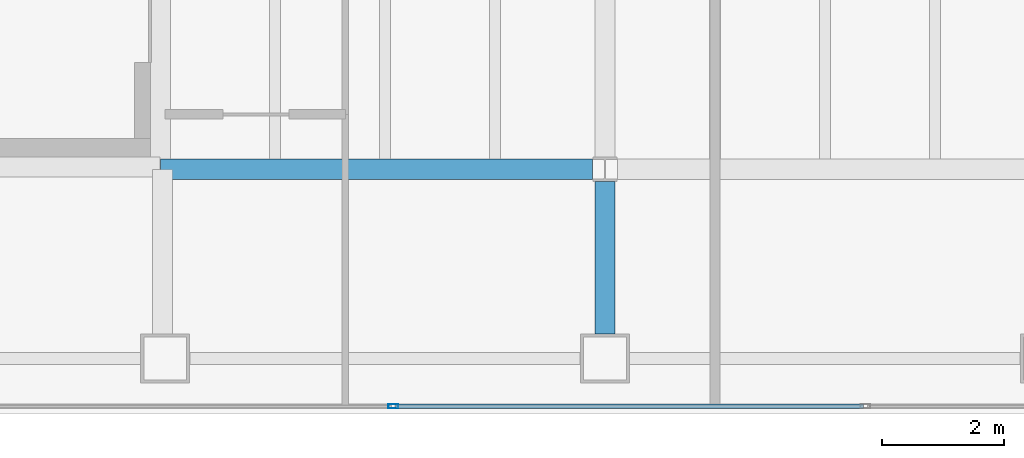
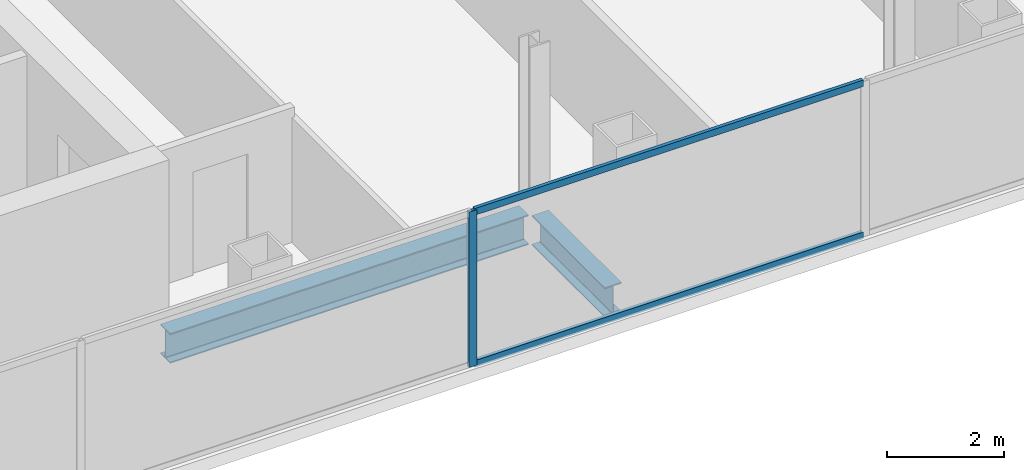
# One storey, part 4 of 23: 3 members, 2 beams, 1 element without a shape of its own.
"""IFC4 building model written with IfcOpenShell, lengths in metres."""

from ifc_helpers import new_model, si_unit, direction, frame, origin, origin_2d, place, context, subcontext, project, spatial, hollow_rectangle, i_section, extrude, material, material_profile, profile_set, type_object, element, aggregate, save


model = new_model("IFC4")

# Units and contexts
model_context = context("Model", 3, precision=1e-05, world=origin(), true_north=direction((0.0, 1.0)))
body_context = subcontext(model_context, "Body", "Model", "MODEL_VIEW")
ifc_project = project(units=[si_unit("LENGTHUNIT", "METRE"), si_unit("AREAUNIT", "SQUARE_METRE"), si_unit("VOLUMEUNIT", "CUBIC_METRE"), si_unit("PLANEANGLEUNIT", "RADIAN"), si_unit("MASSUNIT", "GRAM", prefix="KILO")], contexts=[model_context])

# Site, building, storey
site_placement = place(None, origin())
site = spatial("IfcSite", under=ifc_project, at=site_placement, CompositionType="ELEMENT")
building_placement = place(site_placement, origin())
building = spatial("IfcBuilding", under=site, at=building_placement, Name="Cobrela Telecom Tower", CompositionType="ELEMENT")
storey_placement = place(building_placement, frame((0.0, 0.0, 194.25)))
storey = spatial("IfcBuildingStorey", under=building, at=storey_placement, Name="L49", CompositionType="ELEMENT", Elevation=194.25)

# Beams
ifc_material_1 = material(Name="Steel ASTM A992 Grade 50", Category="steel")
ifc_material_profile_1 = material_profile(ifc_material_1, i_section(OverallWidth=0.327880859375, OverallDepth=0.6220703125, WebThickness=0.015380859375, FlangeThickness=0.0244140625, FilletRadius=0.014892578125, at=origin_2d()), Name="W24X131")
ifc_profile_set_1 = profile_set([ifc_material_profile_1], Name="Steel ASTM A992 Grade 50")
beam_type = type_object("IfcBeamType", Name="BM-GIRD-06", PredefinedType="USERDEFINED", material=ifc_profile_set_1)
beam_1_placement = place(storey_placement, frame((14.324951171875, 7.199951171875, -0.571044921875), z_axis=(1.0, 0.0, 0.0), x_axis=(0.0, 1.0, 0.0)))
element("IfcBeam", 1, at=beam_1_placement, inside=storey, type_object=beam_type, Name="L49 Primary Girder X07", ObjectType="GIRDER", PredefinedType="USERDEFINED", context=body_context, shape_type="SweptSolid", body=[
    extrude(i_section(OverallWidth=0.327880859375, OverallDepth=0.6220703125, WebThickness=0.015380859375, FlangeThickness=0.0244140625, FilletRadius=0.014892578125, at=origin_2d()), origin(), (0.0, 0.0, 1.0), 7.070556640625),
])
beam_2_placement = place(storey_placement, frame((21.60009765625, 4.5048828125, -0.571044921875), z_axis=(0.0, 1.0, 0.0), x_axis=(-1.0, 0.0, 0.0)))
element("IfcBeam", 2, at=beam_2_placement, inside=storey, type_object=beam_type, Name="L49 Primary Girder Y32", ObjectType="GIRDER", PredefinedType="USERDEFINED", context=body_context, shape_type="SweptSolid", body=[
    extrude(i_section(OverallWidth=0.327880859375, OverallDepth=0.6220703125, WebThickness=0.015380859375, FlangeThickness=0.0244140625, FilletRadius=0.014892578125, at=origin_2d()), origin(), (0.0, 0.0, 1.0), 2.49072265625),
])

# Curtain wall, members
ifc_material_2 = material(Name="Anodized Bronze Aluminium 6063-T6", Category="aluminium")
curtain_wall_type = type_object("IfcCurtainWallType", Name="CW-SYS-OFF-LO", PredefinedType="USERDEFINED", material=ifc_material_2)
curtain_wall_placement = place(storey_placement, origin())
curtain_wall = element("IfcCurtainWall", 3, at=curtain_wall_placement, inside=storey, type_object=curtain_wall_type, Name="L49 Unitised Bronze Curtain Wall 17", ObjectType="UNITISED CURTAIN WALL", PredefinedType="USERDEFINED")
ifc_material_profile_2 = material_profile(ifc_material_2, hollow_rectangle(XDim=0.070068359375, YDim=0.159912109375, WallThickness=0.00390625, at=origin_2d()), Name="ALU 70x160x4")
ifc_profile_set_2 = profile_set([ifc_material_profile_2], Name="Anodized Bronze Aluminium 6063-T6")
member_type_1 = type_object("IfcMemberType", Name="CW-SYS-OFF-LO-MUL", PredefinedType="MULLION", material=ifc_profile_set_2)
member_1_placement = place(storey_placement, frame((18.134033203125, 3.320068359375, 0.0), z_axis=(0.0, 0.0, 1.0), x_axis=(0.0, -1.0, 0.0)))
member_1 = element("IfcMember", 4, at=member_1_placement, type_object=member_type_1, Name="CW-OFF-LO mullion 4", PredefinedType="MULLION", context=body_context, shape_type="SweptSolid", body=[
    extrude(hollow_rectangle(XDim=0.070068359375, YDim=0.159912109375, WallThickness=0.00390625, at=origin_2d()), origin(), (0.0, 0.0, 1.0), 3.239990234375),
])
ifc_material_profile_3 = material_profile(ifc_material_2, hollow_rectangle(XDim=0.070068359375, YDim=0.139892578125, WallThickness=0.00390625, at=origin_2d()), Name="ALU 70x140x4")
ifc_profile_set_3 = profile_set([ifc_material_profile_3], Name="Anodized Bronze Aluminium 6063-T6")
member_type_2 = type_object("IfcMemberType", Name="CW-SYS-OFF-LO-TRN", PredefinedType="USERDEFINED", material=ifc_profile_set_3)
member_2_placement = place(storey_placement, frame((25.8310546875, 3.320068359375, 0.034912109375), z_axis=(-1.0, 0.0, 0.0), x_axis=(0.0, -1.0, 0.0)))
member_2 = element("IfcMember", 5, at=member_2_placement, type_object=member_type_2, Name="CW-OFF-LO transom 3.1", ObjectType="TRANSOM", PredefinedType="USERDEFINED", context=body_context, shape_type="SweptSolid", body=[
    extrude(hollow_rectangle(XDim=0.070068359375, YDim=0.139892578125, WallThickness=0.00390625, at=origin_2d()), origin(), (0.0, 0.0, 1.0), 7.662109375),
])
member_3_placement = place(storey_placement, frame((25.8310546875, 3.320068359375, 3.205078125), z_axis=(-1.0, 0.0, 0.0), x_axis=(0.0, -1.0, 0.0)))
member_3 = element("IfcMember", 6, at=member_3_placement, type_object=member_type_2, Name="CW-OFF-LO transom 3.2", ObjectType="TRANSOM", PredefinedType="USERDEFINED", context=body_context, shape_type="SweptSolid", body=[
    extrude(hollow_rectangle(XDim=0.070068359375, YDim=0.139892578125, WallThickness=0.00390625, at=origin_2d()), origin(), (0.0, 0.0, 1.0), 7.662109375),
])
aggregate(curtain_wall, [member_1, member_2, member_3])

save(model, "model.ifc")
